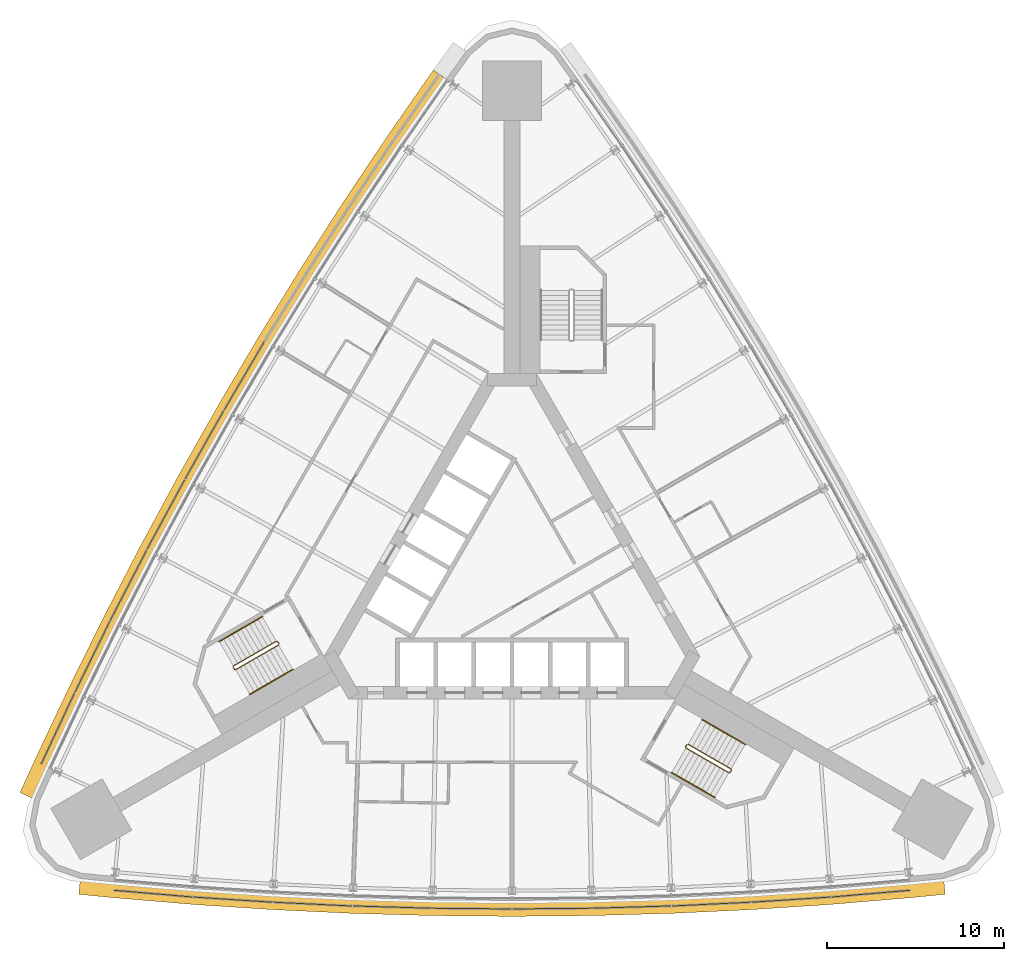
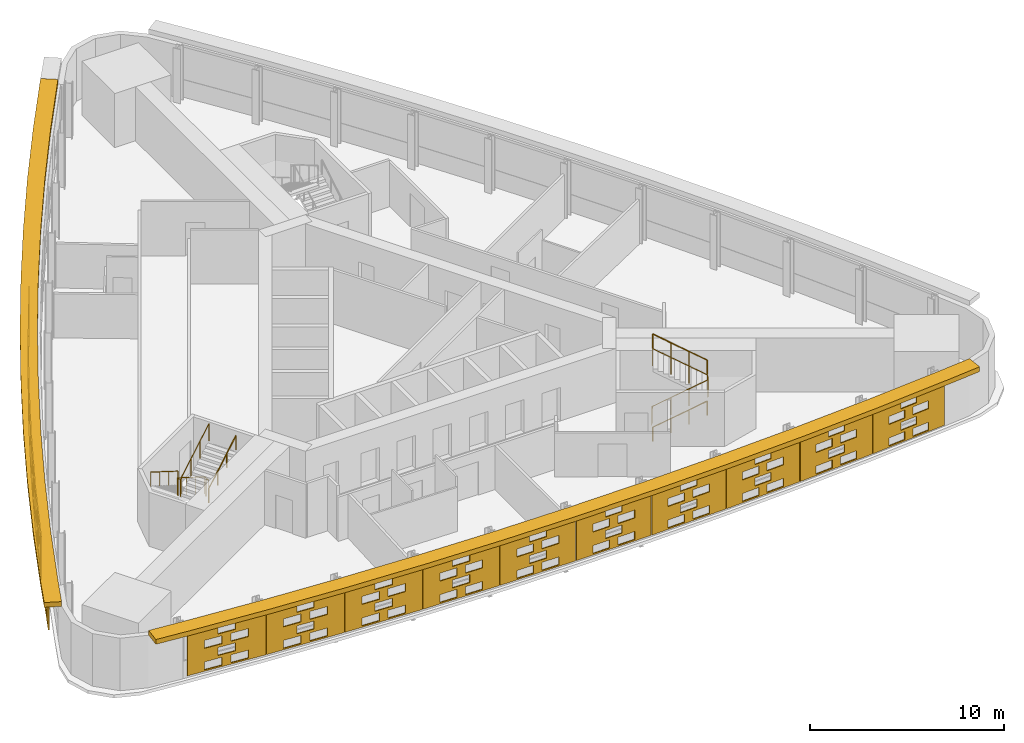
# One storey, part 13 of 14: 18 shading devices, 6 railings.
"""IFC4 building model written with IfcOpenShell, lengths in metres."""

from ifc_helpers import new_model, si_unit, direction, frame, origin, origin_2d, place, context, subcontext, project, spatial, polyline, circle, outline, extrude, material, material_profile, profile_set, type_object, element, save


model = new_model("IFC4")

# Units and contexts
model_context = context("Model", 3, precision=1e-05, world=origin(), true_north=direction((0.0, 1.0)))
body_context = subcontext(model_context, "Body", "Model", "MODEL_VIEW")
ifc_project = project(units=[si_unit("LENGTHUNIT", "METRE"), si_unit("AREAUNIT", "SQUARE_METRE"), si_unit("VOLUMEUNIT", "CUBIC_METRE"), si_unit("PLANEANGLEUNIT", "RADIAN"), si_unit("MASSUNIT", "GRAM", prefix="KILO")], contexts=[model_context])

# Site, building, storey
site_placement = place(None, origin())
site = spatial("IfcSite", under=ifc_project, at=site_placement, CompositionType="ELEMENT")
building_placement = place(site_placement, origin())
building = spatial("IfcBuilding", under=site, at=building_placement, Name="Noor Cloister Tower", CompositionType="ELEMENT")
storey_placement = place(building_placement, frame((0.0, 0.0, 34.800048828125)))
storey = spatial("IfcBuildingStorey", under=building, at=storey_placement, Name="L08", CompositionType="ELEMENT", Elevation=34.800048828125)

# Shading devices
ifc_material_1 = material(Name="Limestone", Category="masonry")
ifc_material_profile = material_profile(ifc_material_1, outline(polyline([(-2.22998046875, -1.35009765625), (2.22998046875, -1.35009765625), (2.22998046875, 1.35009765625), (-2.22998046875, 1.35009765625), (-2.22998046875, -1.35009765625)]), holes=[polyline([(-1.25, -1.263427734375), (-0.25, -1.263427734375), (-0.25, -0.76171875), (-1.25, -0.76171875), (-1.25, -1.263427734375)]), polyline([(0.25, -1.263427734375), (1.25, -1.263427734375), (1.25, -0.76171875), (0.25, -0.76171875), (0.25, -1.263427734375)]), polyline([(-0.5, -0.58837890625), (0.5, -0.58837890625), (0.5, -0.086669921875), (-0.5, -0.086669921875), (-0.5, -0.58837890625)]), polyline([(-1.25, 0.086669921875), (-0.25, 0.086669921875), (-0.25, 0.58837890625), (-1.25, 0.58837890625), (-1.25, 0.086669921875)]), polyline([(0.25, 0.086669921875), (1.25, 0.086669921875), (1.25, 0.58837890625), (0.25, 0.58837890625), (0.25, 0.086669921875)]), polyline([(-0.5, 0.76171875), (0.5, 0.76171875), (0.5, 1.263427734375), (-0.5, 1.263427734375), (-0.5, 0.76171875)])]), Name="Woven screen 25 percent open")
ifc_profile_set = profile_set([ifc_material_profile], Name="Limestone")
shading_device_type_1 = type_object("IfcShadingDeviceType", Name="SCREEN woven limestone 25 percent open", PredefinedType="USERDEFINED", material=ifc_profile_set)
shading_device_1_placement = place(storey_placement, frame((-15.0986328125, 11.320068359375, 1.849853515625), z_axis=(-0.862144217858, 0.506662952675, 0.0), x_axis=(-0.506662952675, -0.862144217858, 0.0)))
element("IfcShadingDevice", 1, at=shading_device_1_placement, inside=storey, type_object=shading_device_type_1, Name="SCREEN L08 5", ObjectType="SCREEN", PredefinedType="USERDEFINED", context=body_context, shape_type="SweptSolid", body=[
    extrude(outline(polyline([(-2.22998046875, -1.35009765625), (2.22998046875, -1.35009765625), (2.22998046875, 1.35009765625), (-2.22998046875, 1.35009765625), (-2.22998046875, -1.35009765625)]), holes=[polyline([(-1.25, -1.263427734375), (-0.25, -1.263427734375), (-0.25, -0.76171875), (-1.25, -0.76171875), (-1.25, -1.263427734375)]), polyline([(0.25, -1.263427734375), (1.25, -1.263427734375), (1.25, -0.76171875), (0.25, -0.76171875), (0.25, -1.263427734375)]), polyline([(-0.5, -0.58837890625), (0.5, -0.58837890625), (0.5, -0.086669921875), (-0.5, -0.086669921875), (-0.5, -0.58837890625)]), polyline([(-1.25, 0.086669921875), (-0.25, 0.086669921875), (-0.25, 0.58837890625), (-1.25, 0.58837890625), (-1.25, 0.086669921875)]), polyline([(0.25, 0.086669921875), (1.25, 0.086669921875), (1.25, 0.58837890625), (0.25, 0.58837890625), (0.25, 0.086669921875)]), polyline([(-0.5, 0.76171875), (0.5, 0.76171875), (0.5, 1.263427734375), (-0.5, 1.263427734375), (-0.5, 0.76171875)])]), origin(), (0.0, 0.0, 1.0), 0.059814453125),
])
for number, where, z_axis, x_axis, name in (
    (2, (-17.3525390625, 7.415771484375, 1.849853515625), (-0.87048706901, 0.492191286683, 0.0), (-0.492191286683, -0.87048706901, 0.0), "SCREEN L08 6"),
    (3, (-19.533203125, 3.469970703125, 1.849853515625), (-0.879291966537, 0.476283148541, 0.0), (-0.476283148541, -0.879291966537, 0.0), "SCREEN L08 7"),
    (4, (-21.6396484375, -0.515869140625, 1.849853515625), (-0.887816162103, 0.460198285861, 0.0), (-0.460198285861, -0.887816162103, 0.0), "SCREEN L08 8"),
):
    element("IfcShadingDevice", number, at=place(storey_placement, frame(where, z_axis=z_axis, x_axis=x_axis)), inside=storey, type_object=shading_device_type_1, Name=name, ObjectType="SCREEN", PredefinedType="USERDEFINED", context=body_context, shape_type="SweptSolid", body=[
        extrude(outline(polyline([(-2.22998046875, -1.35009765625), (2.22998046875, -1.35009765625), (2.22998046875, 1.35009765625), (-2.22998046875, 1.35009765625), (-2.22998046875, -1.35009765625)]), holes=[polyline([(-1.25, -1.263427734375), (-0.25, -1.263427734375), (-0.25, -0.76171875), (-1.25, -0.76171875), (-1.25, -1.263427734375)]), polyline([(0.25, -1.263427734375), (1.25, -1.263427734375), (1.25, -0.76171875), (0.25, -0.76171875), (0.25, -1.263427734375)]), polyline([(-0.5, -0.58837890625), (0.5, -0.58837890625), (0.5, -0.086669921875), (-0.5, -0.086669921875), (-0.5, -0.58837890625)]), polyline([(-1.25, 0.086669921875), (-0.25, 0.086669921875), (-0.25, 0.58837890625), (-1.25, 0.58837890625), (-1.25, 0.086669921875)]), polyline([(0.25, 0.086669921875), (1.25, 0.086669921875), (1.25, 0.58837890625), (0.25, 0.58837890625), (0.25, 0.086669921875)]), polyline([(-0.5, 0.76171875), (0.5, 0.76171875), (0.5, 1.263427734375), (-0.5, 1.263427734375), (-0.5, 0.76171875)])]), origin(), (0.0, 0.0, 1.0), 0.06005859375),
    ])
for number, where, z_axis, x_axis, name in (
    (5, (-23.6708984375, -4.540283203125, 1.849853515625), (-0.897667610562, 0.440673190639, 0.0), (-0.440673190639, -0.897667610562, 0.0), "SCREEN L08 9"),
    (6, (-25.62646484375, -8.602294921875, 1.849853515625), (-0.905556888257, 0.424224848553, 0.0), (-0.424224848553, -0.905556888257, 0.0), "SCREEN L08 10"),
):
    element("IfcShadingDevice", number, at=place(storey_placement, frame(where, z_axis=z_axis, x_axis=x_axis)), inside=storey, type_object=shading_device_type_1, Name=name, ObjectType="SCREEN", PredefinedType="USERDEFINED", context=body_context, shape_type="SweptSolid", body=[
        extrude(outline(polyline([(-2.22998046875, -1.35009765625), (2.22998046875, -1.35009765625), (2.22998046875, 1.35009765625), (-2.22998046875, 1.35009765625), (-2.22998046875, -1.35009765625)]), holes=[polyline([(-1.25, -1.263427734375), (-0.25, -1.263427734375), (-0.25, -0.76171875), (-1.25, -0.76171875), (-1.25, -1.263427734375)]), polyline([(0.25, -1.263427734375), (1.25, -1.263427734375), (1.25, -0.76171875), (0.25, -0.76171875), (0.25, -1.263427734375)]), polyline([(-0.5, -0.58837890625), (0.5, -0.58837890625), (0.5, -0.086669921875), (-0.5, -0.086669921875), (-0.5, -0.58837890625)]), polyline([(-1.25, 0.086669921875), (-0.25, 0.086669921875), (-0.25, 0.58837890625), (-1.25, 0.58837890625), (-1.25, 0.086669921875)]), polyline([(0.25, 0.086669921875), (1.25, 0.086669921875), (1.25, 0.58837890625), (0.25, 0.58837890625), (0.25, 0.086669921875)]), polyline([(-0.5, 0.76171875), (0.5, 0.76171875), (0.5, 1.263427734375), (-0.5, 1.263427734375), (-0.5, 0.76171875)])]), origin(), (0.0, 0.0, 1.0), 0.059814453125),
    ])
shading_device_2_placement = place(storey_placement, frame((-20.262939453125, -17.891845703125, 1.849853515625), z_axis=(-0.085401141346, -0.996346649042, 0.0), x_axis=(0.996346649042, -0.085401141346, 0.0)))
element("IfcShadingDevice", 7, at=shading_device_2_placement, inside=storey, type_object=shading_device_type_1, Name="SCREEN L08 1", ObjectType="SCREEN", PredefinedType="USERDEFINED", context=body_context, shape_type="SweptSolid", body=[
    extrude(outline(polyline([(-2.22998046875, -1.35009765625), (2.22998046875, -1.35009765625), (2.22998046875, 1.35009765625), (-2.22998046875, 1.35009765625), (-2.22998046875, -1.35009765625)]), holes=[polyline([(-1.25, -1.263427734375), (-0.25, -1.263427734375), (-0.25, -0.76171875), (-1.25, -0.76171875), (-1.25, -1.263427734375)]), polyline([(0.25, -1.263427734375), (1.25, -1.263427734375), (1.25, -0.76171875), (0.25, -0.76171875), (0.25, -1.263427734375)]), polyline([(-0.5, -0.58837890625), (0.5, -0.58837890625), (0.5, -0.086669921875), (-0.5, -0.086669921875), (-0.5, -0.58837890625)]), polyline([(-1.25, 0.086669921875), (-0.25, 0.086669921875), (-0.25, 0.58837890625), (-1.25, 0.58837890625), (-1.25, 0.086669921875)]), polyline([(0.25, 0.086669921875), (1.25, 0.086669921875), (1.25, 0.58837890625), (0.25, 0.58837890625), (0.25, 0.086669921875)]), polyline([(-0.5, 0.76171875), (0.5, 0.76171875), (0.5, 1.263427734375), (-0.5, 1.263427734375), (-0.5, 0.76171875)])]), origin(), (0.0, 0.0, 1.0), 0.06005859375),
])
shading_device_3_placement = place(storey_placement, frame((-15.767578125, -18.229248046875, 1.849853515625), z_axis=(-0.064903515062, -0.997891544073, 0.0), x_axis=(0.997891544073, -0.064903515062, 0.0)))
element("IfcShadingDevice", 8, at=shading_device_3_placement, inside=storey, type_object=shading_device_type_1, Name="SCREEN L08 2", ObjectType="SCREEN", PredefinedType="USERDEFINED", context=body_context, shape_type="SweptSolid", body=[
    extrude(outline(polyline([(-2.22998046875, -1.35009765625), (2.22998046875, -1.35009765625), (2.22998046875, 1.35009765625), (-2.22998046875, 1.35009765625), (-2.22998046875, -1.35009765625)]), holes=[polyline([(-1.25, -1.263427734375), (-0.25, -1.263427734375), (-0.25, -0.76171875), (-1.25, -0.76171875), (-1.25, -1.263427734375)]), polyline([(0.25, -1.263427734375), (1.25, -1.263427734375), (1.25, -0.76171875), (0.25, -0.76171875), (0.25, -1.263427734375)]), polyline([(-0.5, -0.58837890625), (0.5, -0.58837890625), (0.5, -0.086669921875), (-0.5, -0.086669921875), (-0.5, -0.58837890625)]), polyline([(-1.25, 0.086669921875), (-0.25, 0.086669921875), (-0.25, 0.58837890625), (-1.25, 0.58837890625), (-1.25, 0.086669921875)]), polyline([(0.25, 0.086669921875), (1.25, 0.086669921875), (1.25, 0.58837890625), (0.25, 0.58837890625), (0.25, 0.086669921875)]), polyline([(-0.5, 0.76171875), (0.5, 0.76171875), (0.5, 1.263427734375), (-0.5, 1.263427734375), (-0.5, 0.76171875)])]), origin(), (0.0, 0.0, 1.0), 0.060302734375),
])
shading_device_4_placement = place(storey_placement, frame((-11.266357421875, -18.482421875, 1.849853515625), z_axis=(-0.048722553713, -0.998812351125, 0.0), x_axis=(0.998812351125, -0.048722553713, 0.0)))
element("IfcShadingDevice", 9, at=shading_device_4_placement, inside=storey, type_object=shading_device_type_1, Name="SCREEN L08 3", ObjectType="SCREEN", PredefinedType="USERDEFINED", context=body_context, shape_type="SweptSolid", body=[
    extrude(outline(polyline([(-2.22998046875, -1.35009765625), (2.22998046875, -1.35009765625), (2.22998046875, 1.35009765625), (-2.22998046875, 1.35009765625), (-2.22998046875, -1.35009765625)]), holes=[polyline([(-1.25, -1.263427734375), (-0.25, -1.263427734375), (-0.25, -0.76171875), (-1.25, -0.76171875), (-1.25, -1.263427734375)]), polyline([(0.25, -1.263427734375), (1.25, -1.263427734375), (1.25, -0.76171875), (0.25, -0.76171875), (0.25, -1.263427734375)]), polyline([(-0.5, -0.58837890625), (0.5, -0.58837890625), (0.5, -0.086669921875), (-0.5, -0.086669921875), (-0.5, -0.58837890625)]), polyline([(-1.25, 0.086669921875), (-0.25, 0.086669921875), (-0.25, 0.58837890625), (-1.25, 0.58837890625), (-1.25, 0.086669921875)]), polyline([(0.25, 0.086669921875), (1.25, 0.086669921875), (1.25, 0.58837890625), (0.25, 0.58837890625), (0.25, 0.086669921875)]), polyline([(-0.5, 0.76171875), (0.5, 0.76171875), (0.5, 1.263427734375), (-0.5, 1.263427734375), (-0.5, 0.76171875)])]), origin(), (0.0, 0.0, 1.0), 0.06005859375),
])
for number, where, z_axis, x_axis, name in (
    (10, (-6.761474609375, -18.6513671875, 1.849853515625), (-0.028559773899, -0.999592086461, 0.0), (0.999592086461, -0.028559773899, 0.0), "SCREEN L08 4"),
    (11, (-2.254150390625, -18.73583984375, 1.849853515625), (-0.008162993324, -0.999966682215, 0.0), (0.999966682215, -0.008162993324, 0.0), "SCREEN L08 5"),
    (12, (2.254150390625, -18.73583984375, 1.849853515625), (0.008162993324, -0.999966682215, 0.0), (0.999966682215, 0.008162993324, 0.0), "SCREEN L08 6"),
    (13, (6.761474609375, -18.6513671875, 1.849853515625), (0.028559773899, -0.999592086461, 0.0), (0.999592086461, 0.028559773899, 0.0), "SCREEN L08 7"),
):
    element("IfcShadingDevice", number, at=place(storey_placement, frame(where, z_axis=z_axis, x_axis=x_axis)), inside=storey, type_object=shading_device_type_1, Name=name, ObjectType="SCREEN", PredefinedType="USERDEFINED", context=body_context, shape_type="SweptSolid", body=[
        extrude(outline(polyline([(-2.22998046875, -1.35009765625), (2.22998046875, -1.35009765625), (2.22998046875, 1.35009765625), (-2.22998046875, 1.35009765625), (-2.22998046875, -1.35009765625)]), holes=[polyline([(-1.25, -1.263427734375), (-0.25, -1.263427734375), (-0.25, -0.76171875), (-1.25, -0.76171875), (-1.25, -1.263427734375)]), polyline([(0.25, -1.263427734375), (1.25, -1.263427734375), (1.25, -0.76171875), (0.25, -0.76171875), (0.25, -1.263427734375)]), polyline([(-0.5, -0.58837890625), (0.5, -0.58837890625), (0.5, -0.086669921875), (-0.5, -0.086669921875), (-0.5, -0.58837890625)]), polyline([(-1.25, 0.086669921875), (-0.25, 0.086669921875), (-0.25, 0.58837890625), (-1.25, 0.58837890625), (-1.25, 0.086669921875)]), polyline([(0.25, 0.086669921875), (1.25, 0.086669921875), (1.25, 0.58837890625), (0.25, 0.58837890625), (0.25, 0.086669921875)]), polyline([(-0.5, 0.76171875), (0.5, 0.76171875), (0.5, 1.263427734375), (-0.5, 1.263427734375), (-0.5, 0.76171875)])]), origin(), (0.0, 0.0, 1.0), 0.059814453125),
    ])
shading_device_5_placement = place(storey_placement, frame((11.266357421875, -18.482421875, 1.849853515625), z_axis=(0.048722553713, -0.998812351125, 0.0), x_axis=(0.998812351125, 0.048722553713, 0.0)))
element("IfcShadingDevice", 14, at=shading_device_5_placement, inside=storey, type_object=shading_device_type_1, Name="SCREEN L08 8", ObjectType="SCREEN", PredefinedType="USERDEFINED", context=body_context, shape_type="SweptSolid", body=[
    extrude(outline(polyline([(-2.22998046875, -1.35009765625), (2.22998046875, -1.35009765625), (2.22998046875, 1.35009765625), (-2.22998046875, 1.35009765625), (-2.22998046875, -1.35009765625)]), holes=[polyline([(-1.25, -1.263427734375), (-0.25, -1.263427734375), (-0.25, -0.76171875), (-1.25, -0.76171875), (-1.25, -1.263427734375)]), polyline([(0.25, -1.263427734375), (1.25, -1.263427734375), (1.25, -0.76171875), (0.25, -0.76171875), (0.25, -1.263427734375)]), polyline([(-0.5, -0.58837890625), (0.5, -0.58837890625), (0.5, -0.086669921875), (-0.5, -0.086669921875), (-0.5, -0.58837890625)]), polyline([(-1.25, 0.086669921875), (-0.25, 0.086669921875), (-0.25, 0.58837890625), (-1.25, 0.58837890625), (-1.25, 0.086669921875)]), polyline([(0.25, 0.086669921875), (1.25, 0.086669921875), (1.25, 0.58837890625), (0.25, 0.58837890625), (0.25, 0.086669921875)]), polyline([(-0.5, 0.76171875), (0.5, 0.76171875), (0.5, 1.263427734375), (-0.5, 1.263427734375), (-0.5, 0.76171875)])]), origin(), (0.0, 0.0, 1.0), 0.06005859375),
])
shading_device_6_placement = place(storey_placement, frame((15.767578125, -18.229248046875, 1.849853515625), z_axis=(0.064903515062, -0.997891544073, 0.0), x_axis=(0.997891544073, 0.064903515062, 0.0)))
element("IfcShadingDevice", 15, at=shading_device_6_placement, inside=storey, type_object=shading_device_type_1, Name="SCREEN L08 9", ObjectType="SCREEN", PredefinedType="USERDEFINED", context=body_context, shape_type="SweptSolid", body=[
    extrude(outline(polyline([(-2.22998046875, -1.35009765625), (2.22998046875, -1.35009765625), (2.22998046875, 1.35009765625), (-2.22998046875, 1.35009765625), (-2.22998046875, -1.35009765625)]), holes=[polyline([(-1.25, -1.263427734375), (-0.25, -1.263427734375), (-0.25, -0.76171875), (-1.25, -0.76171875), (-1.25, -1.263427734375)]), polyline([(0.25, -1.263427734375), (1.25, -1.263427734375), (1.25, -0.76171875), (0.25, -0.76171875), (0.25, -1.263427734375)]), polyline([(-0.5, -0.58837890625), (0.5, -0.58837890625), (0.5, -0.086669921875), (-0.5, -0.086669921875), (-0.5, -0.58837890625)]), polyline([(-1.25, 0.086669921875), (-0.25, 0.086669921875), (-0.25, 0.58837890625), (-1.25, 0.58837890625), (-1.25, 0.086669921875)]), polyline([(0.25, 0.086669921875), (1.25, 0.086669921875), (1.25, 0.58837890625), (0.25, 0.58837890625), (0.25, 0.086669921875)]), polyline([(-0.5, 0.76171875), (0.5, 0.76171875), (0.5, 1.263427734375), (-0.5, 1.263427734375), (-0.5, 0.76171875)])]), origin(), (0.0, 0.0, 1.0), 0.060302734375),
])
shading_device_7_placement = place(storey_placement, frame((20.262939453125, -17.891845703125, 1.849853515625), z_axis=(0.085401141346, -0.996346649042, 0.0), x_axis=(0.996346649042, 0.085401141346, 0.0)))
element("IfcShadingDevice", 16, at=shading_device_7_placement, inside=storey, type_object=shading_device_type_1, Name="SCREEN L08 10", ObjectType="SCREEN", PredefinedType="USERDEFINED", context=body_context, shape_type="SweptSolid", body=[
    extrude(outline(polyline([(-2.22998046875, -1.35009765625), (2.22998046875, -1.35009765625), (2.22998046875, 1.35009765625), (-2.22998046875, 1.35009765625), (-2.22998046875, -1.35009765625)]), holes=[polyline([(-1.25, -1.263427734375), (-0.25, -1.263427734375), (-0.25, -0.76171875), (-1.25, -0.76171875), (-1.25, -1.263427734375)]), polyline([(0.25, -1.263427734375), (1.25, -1.263427734375), (1.25, -0.76171875), (0.25, -0.76171875), (0.25, -1.263427734375)]), polyline([(-0.5, -0.58837890625), (0.5, -0.58837890625), (0.5, -0.086669921875), (-0.5, -0.086669921875), (-0.5, -0.58837890625)]), polyline([(-1.25, 0.086669921875), (-0.25, 0.086669921875), (-0.25, 0.58837890625), (-1.25, 0.58837890625), (-1.25, 0.086669921875)]), polyline([(0.25, 0.086669921875), (1.25, 0.086669921875), (1.25, 0.58837890625), (0.25, 0.58837890625), (0.25, 0.086669921875)]), polyline([(-0.5, 0.76171875), (0.5, 0.76171875), (0.5, 1.263427734375), (-0.5, 1.263427734375), (-0.5, 0.76171875)])]), origin(), (0.0, 0.0, 1.0), 0.06005859375),
])
ifc_material_2 = material(Name="Limestone", Category="masonry")
shading_device_type_2 = type_object("IfcShadingDeviceType", Name="SUNSHADE limestone band 900", PredefinedType="USERDEFINED", material=ifc_material_2)
shading_device_8_placement = place(storey_placement, frame((0.0, 0.0, 3.300048828125)))
element("IfcShadingDevice", 17, at=shading_device_8_placement, inside=storey, type_object=shading_device_type_2, Name="SUNSHADE L08 1", ObjectType="SUNSHADE", PredefinedType="USERDEFINED", context=body_context, shape_type="SweptSolid", body=[
    extrude(outline(polyline([(-4.44775390625, 28.59814453125), (-7.0224609375, 24.8974609375), (-9.5322265625, 21.14208984375), (-11.971435546875, 17.34033203125), (-14.338623046875, 13.49365234375), (-16.633544921875, 9.603515625), (-18.855224609375, 5.6708984375), (-21.0029296875, 1.697265625), (-23.07568359375, -2.31591796875), (-25.072998046875, -6.366943359375), (-26.9931640625, -10.45263671875), (-27.79248046875, -12.21435546875), (-26.972900390625, -12.586181640625), (-26.176025390625, -10.830078125), (-24.26220703125, -6.75732421875), (-22.272216796875, -2.721435546875), (-20.207275390625, 1.27685546875), (-18.067626953125, 5.2353515625), (-15.854248046875, 9.1533203125), (-13.56787109375, 13.029296875), (-11.209228515625, 16.861572265625), (-8.779296875, 20.64892578125), (-6.279052734375, 24.390380859375), (-3.708984375, 28.084228515625), (-4.44775390625, 28.59814453125)])), origin(), (0.0, 0.0, 1.0), 0.2998046875),
])
shading_device_9_placement = place(storey_placement, frame((0.0, 0.0, 3.300048828125)))
element("IfcShadingDevice", 18, at=shading_device_9_placement, inside=storey, type_object=shading_device_type_2, Name="SUNSHADE L08 2", ObjectType="SUNSHADE", PredefinedType="USERDEFINED", context=body_context, shape_type="SweptSolid", body=[
    extrude(outline(polyline([(-24.47412109375, -17.9619140625), (-22.548828125, -18.150390625), (-18.050537109375, -18.530517578125), (-13.54345703125, -18.826416015625), (-9.031494140625, -19.03759765625), (-4.5166015625, -19.16455078125), (0.0, -19.206787109375), (4.5166015625, -19.16455078125), (9.031494140625, -19.03759765625), (13.54345703125, -18.826416015625), (18.050537109375, -18.530517578125), (22.548828125, -18.150390625), (24.47412109375, -17.9619140625), (24.386474609375, -17.066162109375), (22.467041015625, -17.254150390625), (17.983154296875, -17.633056640625), (13.492919921875, -17.927734375), (8.997802734375, -18.13818359375), (4.499755859375, -18.2646484375), (0.0, -18.306884765625), (-4.499755859375, -18.2646484375), (-8.997802734375, -18.13818359375), (-13.492919921875, -17.927734375), (-17.983154296875, -17.633056640625), (-22.467041015625, -17.254150390625), (-24.386474609375, -17.066162109375), (-24.47412109375, -17.9619140625)])), origin(), (0.0, 0.0, 1.0), 0.2998046875),
])

# Railings
ifc_material_3 = material(Name="Stainless steel", Category="steel")
railing_type_1 = type_object("IfcRailingType", Name="Stair guard 1100", PredefinedType="GUARDRAIL", material=ifc_material_3)
railing_1_placement = place(storey_placement, frame((-13.241455078125, -3.677734375, 0.0)))
element("IfcRailing", 19, at=railing_1_placement, inside=storey, type_object=railing_type_1, Name="Stair guard ST2 L08", PredefinedType="GUARDRAIL", context=body_context, shape_type="SweptSolid", body=[
    extrude(circle(Radius=0.02392578125, at=origin_2d()), frame((0.0, 0.0, 1.076171875), z_axis=(0.499112439033, -0.866537231285, 0.0), x_axis=(0.866537231285, 0.499112439033, 0.0)), (0.0, 0.0, 1.0), 0.150146484375),
    extrude(circle(Radius=0.02392578125, at=origin_2d()), frame((0.074951171875, -0.130126953125, 1.076171875), z_axis=(-0.544565797804, 0.563119998752, 0.621565731736), x_axis=(-0.718850276695, -0.695164929852, 0.0)), (0.0, 0.0, 1.0), 0.26318359375),
    extrude(circle(Radius=0.02392578125, at=origin_2d()), frame((-0.068359375, 0.01806640625, 1.23974609375), z_axis=(-0.747689811644, -0.431660630283, 0.504607813879), x_axis=(0.49998411664, -0.866034573852, 0.0)), (0.0, 0.0, 1.0), 3.2431640625),
    extrude(circle(Radius=0.02392578125, at=origin_2d()), frame((-2.4931640625, -1.3818359375, 2.8759765625), z_axis=(-0.258736085224, -0.965948051503, 0.0), x_axis=(0.965948051503, -0.258736085224, 0.0)), (0.0, 0.0, 1.0), 0.07080078125),
    extrude(circle(Radius=0.02392578125, at=origin_2d()), frame((-2.511474609375, -1.4501953125, 2.8759765625), z_axis=(0.499816412211, -0.866131372301, 0.0), x_axis=(0.866131372301, 0.499816412211, 0.0)), (0.0, 0.0, 1.0), 0.14990234375),
    extrude(circle(Radius=0.02392578125, at=origin_2d()), frame((-2.4365234375, -1.580078125, 2.8759765625), z_axis=(0.383552647116, -0.102737316192, 0.917786691313), x_axis=(0.258736085224, 0.965948051503, 0.0)), (0.0, 0.0, 1.0), 0.17822265625),
    extrude(circle(Radius=0.02392578125, at=origin_2d()), frame((-2.3681640625, -1.598388671875, 3.03955078125), z_axis=(0.747693913401, 0.431738279637, 0.504535300807), x_axis=(-0.500049511043, 0.865996816683, 0.0)), (0.0, 0.0, 1.0), 3.2431640625),
    extrude(circle(Radius=0.02099609375, at=origin_2d()), origin(), (0.0, 0.0, 1.0), 1.052001953125),
    extrude(circle(Radius=0.02099609375, at=origin_2d()), frame((0.074951171875, -0.130126953125, 0.0)), (0.0, 0.0, 1.0), 1.052001953125),
    extrude(circle(Radius=0.02099609375, at=origin_2d()), frame((-0.068359375, 0.01806640625, 0.16357421875)), (0.0, 0.0, 1.0), 1.052001953125),
    extrude(circle(Radius=0.02099609375, at=origin_2d()), frame((-0.876708984375, -0.448486328125, 0.708984375)), (0.0, 0.0, 1.0), 1.052001953125),
    extrude(circle(Radius=0.02099609375, at=origin_2d()), frame((-1.684814453125, -0.915283203125, 1.254638671875)), (0.0, 0.0, 1.0), 1.052001953125),
    extrude(circle(Radius=0.02099609375, at=origin_2d()), frame((-2.4931640625, -1.3818359375, 1.800048828125)), (0.0, 0.0, 1.0), 1.052001953125),
    extrude(circle(Radius=0.02099609375, at=origin_2d()), frame((-2.511474609375, -1.4501953125, 1.800048828125)), (0.0, 0.0, 1.0), 1.052001953125),
    extrude(circle(Radius=0.02099609375, at=origin_2d()), frame((-2.4365234375, -1.580078125, 1.800048828125)), (0.0, 0.0, 1.0), 1.052001953125),
    extrude(circle(Radius=0.02099609375, at=origin_2d()), frame((-2.3681640625, -1.598388671875, 1.963623046875)), (0.0, 0.0, 1.0), 1.052001953125),
    extrude(circle(Radius=0.02099609375, at=origin_2d()), frame((-1.559814453125, -1.131591796875, 2.509033203125)), (0.0, 0.0, 1.0), 1.052001953125),
    extrude(circle(Radius=0.02099609375, at=origin_2d()), frame((-0.751708984375, -0.6650390625, 3.054443359375)), (0.0, 0.0, 1.0), 1.052001953125),
    extrude(circle(Radius=0.02099609375, at=origin_2d()), frame((0.056640625, -0.1982421875, 3.599853515625)), (0.0, 0.0, 1.0), 1.052001953125),
])
railing_2_placement = place(storey_placement, frame((9.805908203125, -9.628662109375, 0.0)))
element("IfcRailing", 20, at=railing_2_placement, inside=storey, type_object=railing_type_1, Name="Stair guard ST3 L08", PredefinedType="GUARDRAIL", context=body_context, shape_type="SweptSolid", body=[
    extrude(circle(Radius=0.02392578125, at=origin_2d()), frame((0.0, 0.0, 1.076171875), z_axis=(0.499112439033, 0.866537231285, 0.0), x_axis=(-0.866537231285, 0.499112439033, 0.0)), (0.0, 0.0, 1.0), 0.150146484375),
    extrude(circle(Radius=0.02392578125, at=origin_2d()), frame((0.074951171875, 0.130126953125, 1.076171875), z_axis=(-0.215214839654, -0.753251938789, 0.621525614518), x_axis=(0.961523947641, -0.274721127897, 0.0)), (0.0, 0.0, 1.0), 0.26318359375),
    extrude(circle(Radius=0.02392578125, at=origin_2d()), frame((0.018310546875, -0.068115234375, 1.23974609375), z_axis=(0.747665513933, -0.431721881032, 0.504591415616), x_axis=(0.500049511043, 0.865996816683, 0.0)), (0.0, 0.0, 1.0), 3.2431640625),
    extrude(circle(Radius=0.02392578125, at=origin_2d()), frame((2.443115234375, -1.46826171875, 2.8759765625), z_axis=(0.965948051503, 0.258736085224, 0.0), x_axis=(-0.258736085224, 0.965948051503, 0.0)), (0.0, 0.0, 1.0), 0.07080078125),
    extrude(circle(Radius=0.02392578125, at=origin_2d()), frame((2.511474609375, -1.449951171875, 2.8759765625), z_axis=(0.499816412211, 0.866131372301, 0.0), x_axis=(-0.866131372301, 0.499816412211, 0.0)), (0.0, 0.0, 1.0), 0.14990234375),
    extrude(circle(Radius=0.02392578125, at=origin_2d()), frame((2.58642578125, -1.320068359375, 2.8759765625), z_axis=(-0.102737316192, 0.383552647116, 0.917786691313), x_axis=(-0.965948051503, -0.258736085224, 0.0)), (0.0, 0.0, 1.0), 0.17822265625),
    extrude(circle(Radius=0.02392578125, at=origin_2d()), frame((2.568115234375, -1.251708984375, 3.03955078125), z_axis=(-0.74771821388, 0.431677027627, 0.504551698492), x_axis=(-0.49998411664, -0.866034573852, 0.0)), (0.0, 0.0, 1.0), 3.242919921875),
    extrude(circle(Radius=0.02099609375, at=origin_2d()), origin(), (0.0, 0.0, 1.0), 1.052001953125),
    extrude(circle(Radius=0.02099609375, at=origin_2d()), frame((0.074951171875, 0.130126953125, 0.0)), (0.0, 0.0, 1.0), 1.052001953125),
    extrude(circle(Radius=0.02099609375, at=origin_2d()), frame((0.018310546875, -0.068115234375, 0.16357421875)), (0.0, 0.0, 1.0), 1.052001953125),
    extrude(circle(Radius=0.02099609375, at=origin_2d()), frame((0.82666015625, -0.534912109375, 0.708984375)), (0.0, 0.0, 1.0), 1.052001953125),
    extrude(circle(Radius=0.02099609375, at=origin_2d()), frame((1.634765625, -1.00146484375, 1.254638671875)), (0.0, 0.0, 1.0), 1.052001953125),
    extrude(circle(Radius=0.02099609375, at=origin_2d()), frame((2.443115234375, -1.46826171875, 1.800048828125)), (0.0, 0.0, 1.0), 1.052001953125),
    extrude(circle(Radius=0.02099609375, at=origin_2d()), frame((2.511474609375, -1.449951171875, 1.800048828125)), (0.0, 0.0, 1.0), 1.052001953125),
    extrude(circle(Radius=0.02099609375, at=origin_2d()), frame((2.58642578125, -1.320068359375, 1.800048828125)), (0.0, 0.0, 1.0), 1.052001953125),
    extrude(circle(Radius=0.02099609375, at=origin_2d()), frame((2.568115234375, -1.251708984375, 1.963623046875)), (0.0, 0.0, 1.0), 1.052001953125),
    extrude(circle(Radius=0.02099609375, at=origin_2d()), frame((1.759765625, -0.78515625, 2.509033203125)), (0.0, 0.0, 1.0), 1.052001953125),
    extrude(circle(Radius=0.02099609375, at=origin_2d()), frame((0.95166015625, -0.318359375, 3.054443359375)), (0.0, 0.0, 1.0), 1.052001953125),
    extrude(circle(Radius=0.02099609375, at=origin_2d()), frame((0.143310546875, 0.148193359375, 3.599853515625)), (0.0, 0.0, 1.0), 1.052001953125),
])
ifc_material_4 = material(Name="Stainless steel", Category="steel")
railing_type_2 = type_object("IfcRailingType", Name="Stair handrail 900", PredefinedType="HANDRAIL", material=ifc_material_4)
railing_3_placement = place(storey_placement, frame((-14.10986328125, -2.27392578125, 0.16357421875)))
element("IfcRailing", 21, at=railing_3_placement, inside=storey, type_object=railing_type_2, Name="Stair handrail ST2 L08 1", PredefinedType="HANDRAIL", context=body_context, shape_type="SweptSolid", body=[
    extrude(circle(Radius=0.02392578125, at=origin_2d()), frame((0.0, 0.0, 0.8759765625), z_axis=(-0.747689811644, -0.431660630283, 0.504607813879), x_axis=(0.49998411664, -0.866034573852, 0.0)), (0.0, 0.0, 1.0), 3.2431640625),
    extrude(circle(Radius=0.02099609375, at=origin_2d()), origin(), (0.0, 0.0, 1.0), 0.851806640625),
    extrude(circle(Radius=0.02099609375, at=origin_2d()), frame((-0.808349609375, -0.466552734375, 0.54541015625)), (0.0, 0.0, 1.0), 0.851806640625),
    extrude(circle(Radius=0.02099609375, at=origin_2d()), frame((-1.616455078125, -0.933349609375, 1.091064453125)), (0.0, 0.0, 1.0), 0.851806640625),
    extrude(circle(Radius=0.02099609375, at=origin_2d()), frame((-2.4248046875, -1.39990234375, 1.636474609375)), (0.0, 0.0, 1.0), 0.851806640625),
])
railing_4_placement = place(storey_placement, frame((-14.8095703125, -6.66162109375, 1.963623046875)))
element("IfcRailing", 22, at=railing_4_placement, inside=storey, type_object=railing_type_2, Name="Stair handrail ST2 L08 2", PredefinedType="HANDRAIL", context=body_context, shape_type="SweptSolid", body=[
    extrude(circle(Radius=0.02392578125, at=origin_2d()), frame((0.0, 0.0, 0.8759765625), z_axis=(0.74771821388, 0.431677027627, 0.504551698492), x_axis=(-0.49998411664, 0.866034573852, 0.0)), (0.0, 0.0, 1.0), 3.242919921875),
    extrude(circle(Radius=0.02099609375, at=origin_2d()), origin(), (0.0, 0.0, 1.0), 0.851806640625),
    extrude(circle(Radius=0.02099609375, at=origin_2d()), frame((0.808349609375, 0.466552734375, 0.54541015625)), (0.0, 0.0, 1.0), 0.851806640625),
    extrude(circle(Radius=0.02099609375, at=origin_2d()), frame((1.616455078125, 0.933349609375, 1.0908203125)), (0.0, 0.0, 1.0), 0.851806640625),
    extrude(circle(Radius=0.02099609375, at=origin_2d()), frame((2.4248046875, 1.39990234375, 1.63623046875)), (0.0, 0.0, 1.0), 0.851806640625),
])
railing_5_placement = place(storey_placement, frame((9.024169921875, -11.08251953125, 0.16357421875)))
element("IfcRailing", 23, at=railing_5_placement, inside=storey, type_object=railing_type_2, Name="Stair handrail ST3 L08 1", PredefinedType="HANDRAIL", context=body_context, shape_type="SweptSolid", body=[
    extrude(circle(Radius=0.02392578125, at=origin_2d()), frame((0.0, 0.0, 0.8759765625), z_axis=(0.747689811644, -0.431660630283, 0.504607813879), x_axis=(0.49998411664, 0.866034573852, 0.0)), (0.0, 0.0, 1.0), 3.2431640625),
    extrude(circle(Radius=0.02099609375, at=origin_2d()), origin(), (0.0, 0.0, 1.0), 0.851806640625),
    extrude(circle(Radius=0.02099609375, at=origin_2d()), frame((0.808349609375, -0.466552734375, 0.54541015625)), (0.0, 0.0, 1.0), 0.851806640625),
    extrude(circle(Radius=0.02099609375, at=origin_2d()), frame((1.616455078125, -0.933349609375, 1.091064453125)), (0.0, 0.0, 1.0), 0.851806640625),
    extrude(circle(Radius=0.02099609375, at=origin_2d()), frame((2.4248046875, -1.39990234375, 1.636474609375)), (0.0, 0.0, 1.0), 0.851806640625),
])
railing_6_placement = place(storey_placement, frame((13.174072265625, -9.49462890625, 1.963623046875)))
element("IfcRailing", 24, at=railing_6_placement, inside=storey, type_object=railing_type_2, Name="Stair handrail ST3 L08 2", PredefinedType="HANDRAIL", context=body_context, shape_type="SweptSolid", body=[
    extrude(circle(Radius=0.02392578125, at=origin_2d()), frame((0.0, 0.0, 0.8759765625), z_axis=(-0.74771821388, 0.431677027627, 0.504551698492), x_axis=(-0.49998411664, -0.866034573852, 0.0)), (0.0, 0.0, 1.0), 3.242919921875),
    extrude(circle(Radius=0.02099609375, at=origin_2d()), origin(), (0.0, 0.0, 1.0), 0.851806640625),
    extrude(circle(Radius=0.02099609375, at=origin_2d()), frame((-0.808349609375, 0.466552734375, 0.54541015625)), (0.0, 0.0, 1.0), 0.851806640625),
    extrude(circle(Radius=0.02099609375, at=origin_2d()), frame((-1.616455078125, 0.933349609375, 1.0908203125)), (0.0, 0.0, 1.0), 0.851806640625),
    extrude(circle(Radius=0.02099609375, at=origin_2d()), frame((-2.4248046875, 1.39990234375, 1.63623046875)), (0.0, 0.0, 1.0), 0.851806640625),
])

save(model, "model.ifc")
